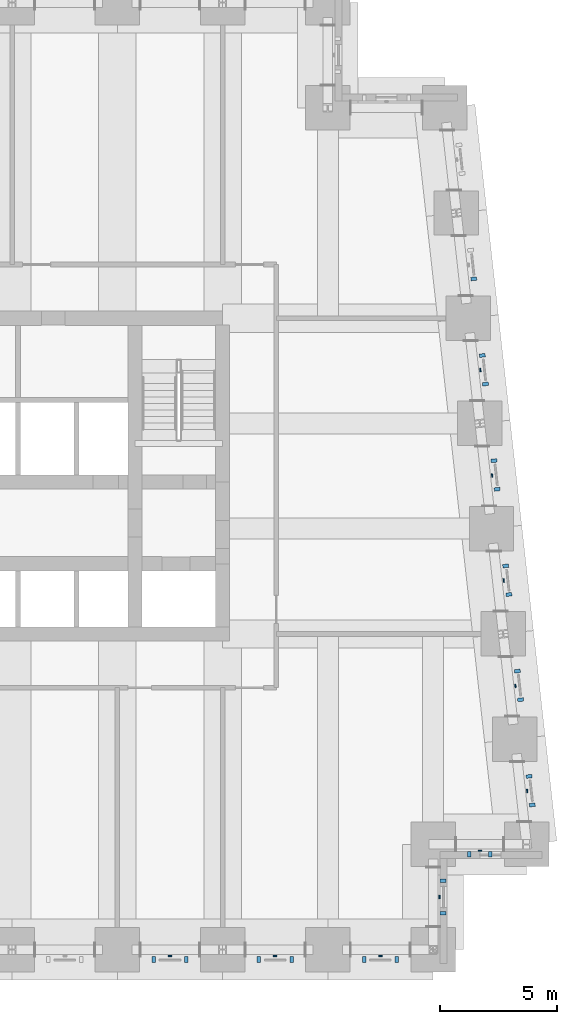
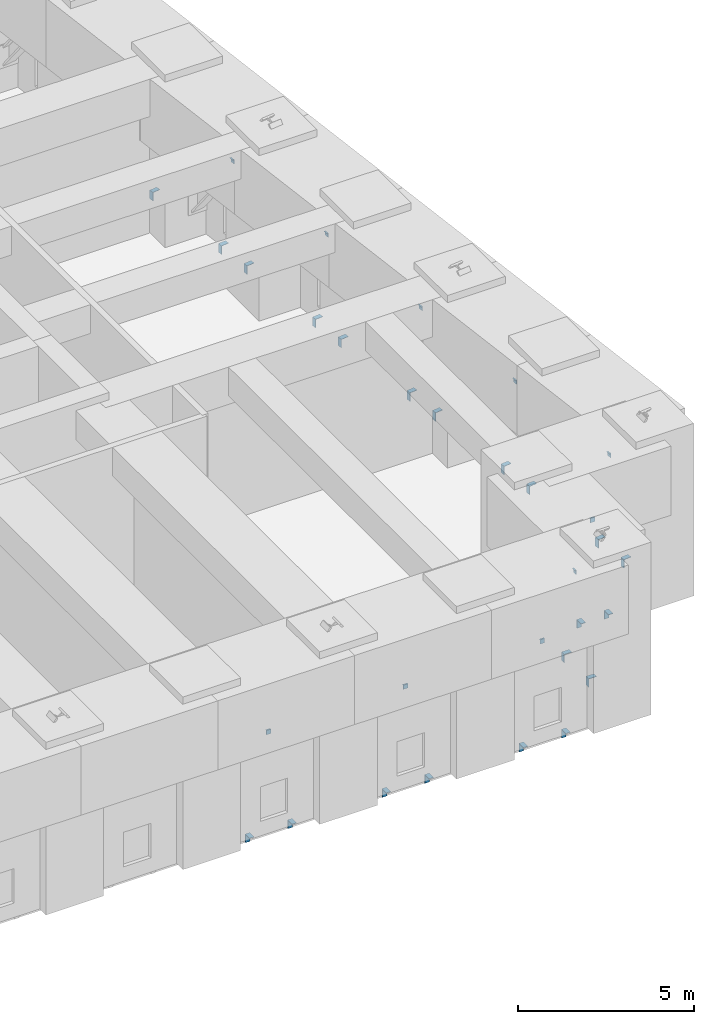
# One storey, part 12 of 17: 31 discrete accessories.
"""IFC4 building model written with IfcOpenShell, lengths in metres."""

from ifc_helpers import new_model, si_unit, direction, frame, origin, place, context, subcontext, project, spatial, polyline, outline, extrude, source, transform, mapped, material, layer, layer_set, type_object, element, save


model = new_model("IFC4")

# Units and contexts
model_context = context("Model", 3, precision=1e-05, world=origin(), true_north=direction((0.0, 1.0)))
body_context = subcontext(model_context, "Body", "Model", "MODEL_VIEW")
ifc_project = project(units=[si_unit("LENGTHUNIT", "METRE"), si_unit("AREAUNIT", "SQUARE_METRE"), si_unit("VOLUMEUNIT", "CUBIC_METRE"), si_unit("PLANEANGLEUNIT", "RADIAN"), si_unit("MASSUNIT", "GRAM", prefix="KILO")], contexts=[model_context])

# Site, building, storey
site_placement = place(None, origin())
site = spatial("IfcSite", under=ifc_project, at=site_placement, CompositionType="ELEMENT")
building_placement = place(site_placement, origin())
building = spatial("IfcBuilding", under=site, at=building_placement, Name="Kilele Tower Hotel", CompositionType="ELEMENT")
storey_placement = place(building_placement, frame((0.0, 0.0, 151.89990234375)))
storey = spatial("IfcBuildingStorey", under=building, at=storey_placement, Name="L39", CompositionType="ELEMENT", Elevation=151.89990234375)

# Discrete accessories
ifc_material_1 = material(Name="Hot-dip galvanized steel S355", Category="steel")
ifc_layer_1 = layer(ifc_material_1, 0.014892578125)
ifc_layer_set_1 = layer_set([ifc_layer_1], Name="Hot-dip galvanized steel S355")
discrete_accessory_type_1 = type_object("IfcDiscreteAccessoryType", Name="Facade panel bearing bracket 250x150x15", PredefinedType="BRACKET", material=ifc_layer_set_1)
shared_shape_1 = source(origin(), body_context, "Body", "SweptSolid", [
    extrude(outline(polyline([(0.0, 0.0), (0.25, 0.0), (0.25, -0.014892578125), (0.014892578125, -0.014892578125), (0.014892578125, -0.300048828125), (0.0, -0.300048828125), (0.0, 0.0)])), origin(), (0.0, 0.0, 1.0), 0.14990234375),
])
for number, where, z_axis, x_axis, name in (
    (1, (33.125, -0.300048828125, 0.0), (-1.0, 0.0, 0.0), (0.0, -1.0, 0.0), "Facade panel bearing bracket L39"),
    (2, (34.52490234375, -0.300048828125, 0.0), (-1.0, 0.0, 0.0), (0.0, -1.0, 0.0), "Facade panel bearing bracket L39"),
    (3, (37.625, -0.300048828125, 0.0), (-1.0, 0.0, 0.0), (0.0, -1.0, 0.0), "Facade panel bearing bracket L39"),
    (4, (39.02490234375, -0.300048828125, 0.0), (-1.0, 0.0, 0.0), (0.0, -1.0, 0.0), "Facade panel bearing bracket L39"),
    (5, (42.125, -0.300048828125, 0.0), (-1.0, 0.0, 0.0), (0.0, -1.0, 0.0), "Facade panel bearing bracket L39"),
    (6, (43.52490234375, -0.300048828125, 0.0), (-1.0, 0.0, 0.0), (0.0, -1.0, 0.0), "Facade panel bearing bracket L39"),
    (7, (45.300048828125, 1.625, 0.0), (0.0, -1.0, 0.0), (1.0, 0.0, 0.0), "Facade panel bearing bracket L39"),
    (8, (45.300048828125, 3.02490234375, 0.0), (0.0, -1.0, 0.0), (1.0, 0.0, 0.0), "Facade panel bearing bracket L39"),
    (9, (46.625, 4.199951171875, 0.0), (-1.0, 0.0, 0.0), (0.0, -1.0, 0.0), "Facade panel bearing bracket L39"),
    (10, (47.52490234375, 4.199951171875, 0.0), (-1.0, 0.0, 0.0), (0.0, -1.0, 0.0), "Facade panel bearing bracket L39"),
    (11, (49.10791015625, 6.24658203125, 0.0), (0.110432, -0.993884, 0.0), (0.993884, 0.110432, 0.0), "Facade panel bearing bracket L39"),
    (12, (48.971923828125, 7.46875, 0.0), (0.110432, -0.993884, 0.0), (0.993884, 0.110432, 0.0), "Facade panel bearing bracket L39"),
    (13, (48.60791015625, 10.74658203125, 0.0), (0.110432, -0.993884, 0.0), (0.993884, 0.110432, 0.0), "Facade panel bearing bracket L39"),
    (14, (48.471923828125, 11.96875, 0.0), (0.110432, -0.993884, 0.0), (0.993884, 0.110432, 0.0), "Facade panel bearing bracket L39"),
    (15, (48.10791015625, 15.24658203125, 0.0), (0.110432, -0.993884, 0.0), (0.993884, 0.110432, 0.0), "Facade panel bearing bracket L39"),
    (16, (47.971923828125, 16.46875, 0.0), (0.110432, -0.993884, 0.0), (0.993884, 0.110432, 0.0), "Facade panel bearing bracket L39"),
    (17, (47.60791015625, 19.74658203125, 0.0), (0.110432, -0.993884, 0.0), (0.993884, 0.110432, 0.0), "Facade panel bearing bracket L39"),
    (18, (47.471923828125, 20.96875, 0.0), (0.110432, -0.993884, 0.0), (0.993884, 0.110432, 0.0), "Facade panel bearing bracket L39"),
    (19, (47.10791015625, 24.24658203125, 0.0), (0.110432, -0.993884, 0.0), (0.993884, 0.110432, 0.0), "Facade panel bearing bracket L39"),
    (20, (46.971923828125, 25.46875, 0.0), (0.110432, -0.993884, 0.0), (0.993884, 0.110432, 0.0), "Facade panel bearing bracket L39"),
    (21, (46.60791015625, 28.74658203125, 0.0), (0.110432, -0.993884, 0.0), (0.993884, 0.110432, 0.0), "Facade panel bearing bracket L39"),
):
    element("IfcDiscreteAccessory", number, at=place(storey_placement, frame(where, z_axis=z_axis, x_axis=x_axis)), inside=storey, type_object=discrete_accessory_type_1, Name=name, PredefinedType="BRACKET", context=body_context, shape_type="MappedRepresentation", body=[
        mapped(shared_shape_1, transform((0.0, 0.0, 0.0))),
    ])
ifc_material_2 = material(Name="Hot-dip galvanized steel S355", Category="steel")
ifc_layer_2 = layer(ifc_material_2, 0.011962890625)
ifc_layer_set_2 = layer_set([ifc_layer_2], Name="Hot-dip galvanized steel S355")
discrete_accessory_type_2 = type_object("IfcDiscreteAccessoryType", Name="Facade panel restraint bracket 150x50x12", PredefinedType="BRACKET", material=ifc_layer_set_2)
shared_shape_2 = source(origin(), body_context, "Body", "SweptSolid", [
    extrude(outline(polyline([(0.0, 0.0), (0.0, -0.14990234375), (-0.011962890625, -0.14990234375), (-0.011962890625, -0.011962890625), (-0.050048828125, -0.011962890625), (-0.050048828125, 0.0), (0.0, 0.0)])), origin(), (0.0, 0.0, 1.0), 0.14990234375),
])
for number, where, z_axis, x_axis, name in (
    (22, (33.824951171875, -0.300048828125, 3.35009765625), (-1.0, 0.0, 0.0), (0.0, -1.0, 0.0), "Facade panel restraint bracket L39"),
    (23, (38.324951171875, -0.300048828125, 3.35009765625), (-1.0, 0.0, 0.0), (0.0, -1.0, 0.0), "Facade panel restraint bracket L39"),
    (24, (42.824951171875, -0.300048828125, 3.35009765625), (-1.0, 0.0, 0.0), (0.0, -1.0, 0.0), "Facade panel restraint bracket L39"),
    (25, (45.300048828125, 2.324951171875, 3.35009765625), (0.0, -1.0, 0.0), (1.0, 0.0, 0.0), "Facade panel restraint bracket L39"),
    (26, (47.074951171875, 4.199951171875, 3.35009765625), (-1.0, 0.0, 0.0), (0.0, -1.0, 0.0), "Facade panel restraint bracket L39"),
    (27, (49.039794921875, 6.857666015625, 3.35009765625), (0.110432, -0.993884, 0.0), (0.993884, 0.110432, 0.0), "Facade panel restraint bracket L39"),
    (28, (48.539794921875, 11.357666015625, 3.35009765625), (0.110432, -0.993884, 0.0), (0.993884, 0.110432, 0.0), "Facade panel restraint bracket L39"),
    (29, (48.039794921875, 15.857666015625, 3.35009765625), (0.110432, -0.993884, 0.0), (0.993884, 0.110432, 0.0), "Facade panel restraint bracket L39"),
    (30, (47.539794921875, 20.357666015625, 3.35009765625), (0.110432, -0.993884, 0.0), (0.993884, 0.110432, 0.0), "Facade panel restraint bracket L39"),
    (31, (47.039794921875, 24.857666015625, 3.35009765625), (0.110432, -0.993884, 0.0), (0.993884, 0.110432, 0.0), "Facade panel restraint bracket L39"),
):
    element("IfcDiscreteAccessory", number, at=place(storey_placement, frame(where, z_axis=z_axis, x_axis=x_axis)), inside=storey, type_object=discrete_accessory_type_2, Name=name, PredefinedType="BRACKET", context=body_context, shape_type="MappedRepresentation", body=[
        mapped(shared_shape_2, transform((0.0, 0.0, 0.0))),
    ])

save(model, "model.ifc")
